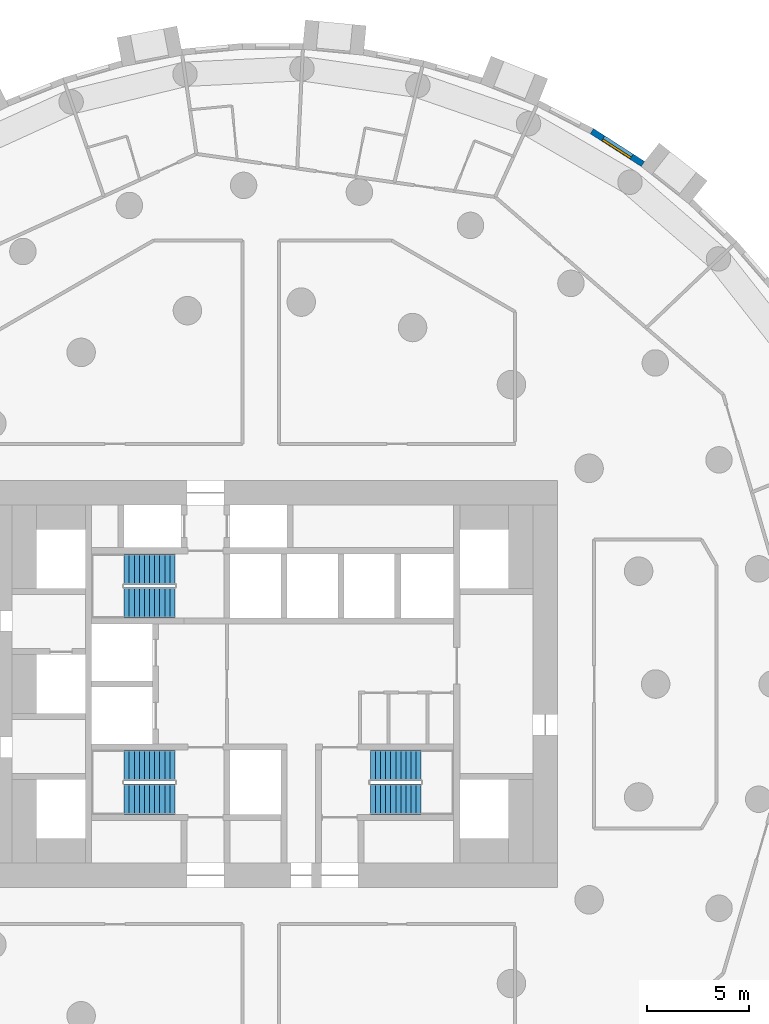
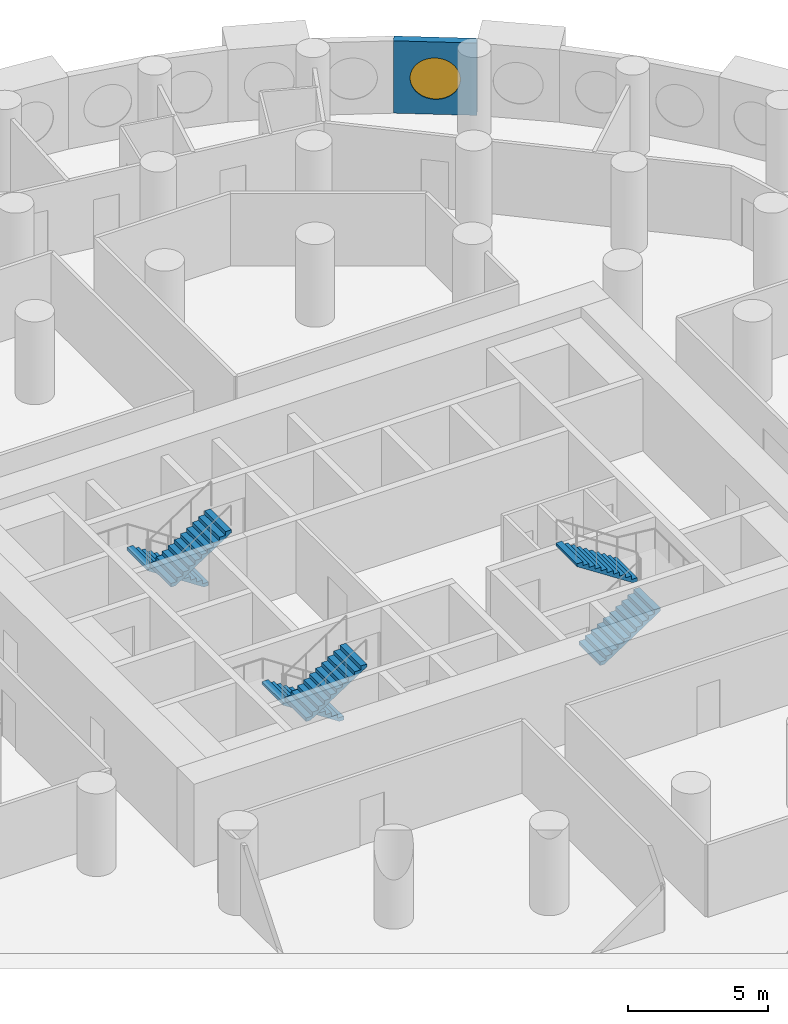
# One storey, part 10 of 11: 6 stair flights, 1 wall, 1 window, 1 opening, 3 elements without a shape of their own.
"""IFC4 building model written with IfcOpenShell, lengths in metres."""

from ifc_helpers import new_model, si_unit, direction, frame, frame_2d, origin, origin_2d, place, context, subcontext, project, spatial, polyline, rectangle, circle, outline, extrude, material, layer, layer_set, type_object, element, fill, aggregate, save


model = new_model("IFC4")

# Units and contexts
model_context = context("Model", 3, precision=1e-05, world=origin(), true_north=direction((0.0, 1.0)))
body_context = subcontext(model_context, "Body", "Model", "MODEL_VIEW")
ifc_project = project(units=[si_unit("LENGTHUNIT", "METRE"), si_unit("AREAUNIT", "SQUARE_METRE"), si_unit("VOLUMEUNIT", "CUBIC_METRE"), si_unit("PLANEANGLEUNIT", "RADIAN"), si_unit("MASSUNIT", "GRAM", prefix="KILO")], contexts=[model_context])

# Site, building, storey
site_placement = place(None, origin())
site = spatial("IfcSite", under=ifc_project, at=site_placement, CompositionType="ELEMENT")
building_placement = place(site_placement, origin())
building = spatial("IfcBuilding", under=site, at=building_placement, Name="Tracery Tower", CompositionType="ELEMENT")
storey_placement = place(building_placement, frame((0.0, 0.0, 93.0)))
storey = spatial("IfcBuildingStorey", under=building, at=storey_placement, Name="L23", CompositionType="ELEMENT", Elevation=93.0)

# Wall, opening, window
ifc_material_1 = material(Name="Precast concrete C50/60", Category="concrete")
ifc_layer = layer(ifc_material_1, 0.300048828125)
ifc_layer_set = layer_set([ifc_layer], Name="Facade panel 3000 x 3150")
wall_type = type_object("IfcWallType", Name="Facade panel 3000 x 3150", PredefinedType="SOLIDWALL", material=ifc_layer_set)
wall_placement = place(storey_placement, frame((18.19384765625, 25.56005859375, 0.0), z_axis=(0.0, 0.0, 1.0), x_axis=(-0.84122372879, 0.540687190639, 0.0)))
wall = element("IfcWall", 1, at=wall_placement, inside=storey, type_object=wall_type, Name="Facade panel 11 at L23", PredefinedType="SOLIDWALL", context=body_context, shape_type="SweptSolid", body=[
    extrude(rectangle(XDim=2.979736328125, YDim=0.300048828125, at=frame_2d((1.48974609375, 0.0))), origin(), (0.0, 0.0, 1.0), 3.14990234375),
])
opening_placement = place(wall_placement, frame((1.48974609375, 0.0, 1.5498046875)))
opening = element("IfcOpeningElement", 2, at=opening_placement, cuts=wall, Name="Opening WN1", PredefinedType="OPENING", context=body_context, shape_type="SweptSolid", body=[
    extrude(circle(Radius=0.9000244140625, at=origin_2d()), frame((0.0, 0.159912109375, 0.0), z_axis=(0.0, -1.0, 0.0), x_axis=(1.0, 0.0, 0.0)), (0.0, 0.0, 1.0), 0.320068359375),
])
ifc_material_2 = material(Name="Aluminium frame with tinted double glazing", Category="aluminium")
window_type = type_object("IfcWindowType", Name="Round window 1800", PartitioningType="SINGLE_PANEL", PredefinedType="WINDOW", material=ifc_material_2)
window_placement = place(opening_placement, origin())
window = element("IfcWindow", 3, at=window_placement, inside=storey, type_object=window_type, Name="Round window 11 at L23", OverallHeight=1.800048828125, OverallWidth=1.800048828125, PartitioningType="SINGLE_PANEL", PredefinedType="WINDOW", context=body_context, shape_type="SweptSolid", body=[
    extrude(circle(Radius=0.9000244140625, at=origin_2d()), frame((0.0, 0.1201171875, 0.0), z_axis=(0.0, -1.0, 0.0), x_axis=(1.0, 0.0, 0.0)), (0.0, 0.0, 1.0), 0.10009765625),
])
fill(opening, window)

# Stair, stair flights
ifc_material_3 = material(Name="Concrete C32/40", Category="concrete")
stair_type = type_object("IfcStairType", Name="Core stair 22 risers", PredefinedType="HALF_TURN_STAIR", material=ifc_material_3)
stair_1_placement = place(storey_placement, origin())
stair_1 = element("IfcStair", 4, at=stair_1_placement, inside=storey, type_object=stair_type, Name="L23 stair ST1", PredefinedType="HALF_TURN_STAIR")
ifc_material_4 = material(Name="Concrete C32/40", Category="concrete")
stair_flight_type = type_object("IfcStairFlightType", Name="Core stair flight 11 risers", PredefinedType="STRAIGHT", material=ifc_material_4)
stair_flight_1_placement = place(storey_placement, frame((-4.800048828125, -4.0, 0.0), z_axis=(0.0, 0.0, 1.0), x_axis=(-1.0, 0.0, 0.0)))
stair_flight_1 = element("IfcStairFlight", 5, at=stair_flight_1_placement, type_object=stair_flight_type, Name="ST1 flight 1", NumberOfRisers=11, NumberOfTreads=10, PredefinedType="STRAIGHT", RiserHeight=0.163636364, TreadLength=0.25, context=body_context, shape_type="SweptSolid", body=[
    extrude(outline(polyline([(0.0, 0.0), (0.0, 0.002685546875), (0.0, 0.00537109375), (0.0, 0.008056640625), (0.0, 0.0107421875), (0.0, 0.013427734375), (0.0, 0.01611328125), (0.0, 0.018798828125), (0.0, 0.021484375), (0.0, 0.024169921875), (0.0, 0.02685546875), (0.0, 0.029541015625), (0.0, 0.0322265625), (0.0, 0.034912109375), (0.0, 0.03759765625), (0.0, 0.040283203125), (0.0, 0.04296875), (0.0, 0.045654296875), (0.0, 0.04833984375), (0.0, 0.051025390625), (0.0, 0.0537109375), (0.0, 0.056396484375), (0.0, 0.05908203125), (0.0, 0.061767578125), (0.0, 0.064453125), (0.0, 0.067138671875), (0.0, 0.06982421875), (0.0, 0.072509765625), (0.0, 0.0751953125), (0.0, 0.077880859375), (0.0, 0.08056640625), (0.0, 0.083251953125), (0.0, 0.0859375), (0.0, 0.088623046875), (0.0, 0.09130859375), (0.0, 0.093994140625), (0.0, 0.0966796875), (0.0, 0.099365234375), (0.0, 0.10205078125), (0.0, 0.104736328125), (0.0, 0.107421875), (0.0, 0.10986328125), (0.0, 0.112548828125), (0.0, 0.115234375), (0.0, 0.117919921875), (0.0, 0.12060546875), (0.0, 0.123291015625), (0.0, 0.1259765625), (0.0, 0.128662109375), (0.0, 0.13134765625), (0.0, 0.134033203125), (0.0, 0.13671875), (0.0, 0.139404296875), (0.0, 0.14208984375), (0.0, 0.144775390625), (0.0, 0.1474609375), (0.0, 0.150146484375), (0.0, 0.15283203125), (0.0, 0.155517578125), (0.0, 0.158203125), (0.0, 0.160888671875), (0.0, 0.16357421875), (0.25, 0.16357421875), (0.25, 0.327392578125), (0.5, 0.327392578125), (0.5, 0.490966796875), (0.75, 0.490966796875), (0.75, 0.654541015625), (1.0, 0.654541015625), (1.0, 0.818115234375), (1.25, 0.818115234375), (1.25, 0.98193359375), (1.5, 0.98193359375), (1.5, 1.1455078125), (1.75, 1.1455078125), (1.75, 1.30908203125), (2.0, 1.30908203125), (2.0, 1.47265625), (2.25, 1.47265625), (2.25, 1.636474609375), (2.5, 1.636474609375), (2.5, 1.634521484375), (2.5, 1.63232421875), (2.5, 1.63037109375), (2.5, 1.62841796875), (2.5, 1.62646484375), (2.5, 1.62451171875), (2.5, 1.62255859375), (2.5, 1.62060546875), (2.5, 1.61865234375), (2.5, 1.61669921875), (2.5, 1.61474609375), (2.5, 1.61279296875), (2.5, 1.61083984375), (2.5, 1.60888671875), (2.5, 1.60693359375), (2.5, 1.60498046875), (2.5, 1.60302734375), (2.5, 1.60107421875), (2.5, 1.59912109375), (2.5, 1.59716796875), (2.5, 1.59521484375), (2.5, 1.59326171875), (2.5, 1.59130859375), (2.5, 1.58935546875), (2.5, 1.58740234375), (2.5, 1.58544921875), (2.5, 1.58349609375), (2.5, 1.58154296875), (2.5, 1.57958984375), (2.5, 1.57763671875), (2.5, 1.57568359375), (2.5, 1.573486328125), (2.5, 1.571533203125), (2.5, 1.569580078125), (2.5, 1.567626953125), (2.5, 1.565673828125), (2.5, 1.563720703125), (2.5, 1.561767578125), (2.5, 1.559814453125), (2.5, 1.557861328125), (2.5, 1.555908203125), (2.5, 1.553955078125), (2.5, 1.552001953125), (2.5, 1.550048828125), (2.5, 1.548095703125), (2.5, 1.546142578125), (2.5, 1.544189453125), (2.5, 1.542236328125), (2.5, 1.540283203125), (2.5, 1.538330078125), (2.5, 1.536376953125), (2.5, 1.534423828125), (2.5, 1.532470703125), (2.5, 1.530517578125), (2.5, 1.528564453125), (2.5, 1.526611328125), (2.5, 1.524658203125), (2.5, 1.522705078125), (2.5, 1.520751953125), (2.5, 1.518798828125), (2.5, 1.516845703125), (0.182861328125, 0.0), (0.0, 0.0)])), frame((0.0, 0.75, 0.0), z_axis=(0.0, -1.0, 0.0), x_axis=(1.0, 0.0, 0.0)), (0.0, 0.0, 1.0), 1.5),
])
stair_flight_2_placement = place(storey_placement, frame((-7.300048828125, -5.64990234375, 1.800048828125), z_axis=(0.0, 0.0, 1.0), x_axis=(1.0, 0.0, 0.0)))
stair_flight_2 = element("IfcStairFlight", 6, at=stair_flight_2_placement, type_object=stair_flight_type, Name="ST1 flight 2", NumberOfRisers=11, NumberOfTreads=10, PredefinedType="STRAIGHT", RiserHeight=0.163636364, TreadLength=0.25, context=body_context, shape_type="SweptSolid", body=[
    extrude(outline(polyline([(0.0, 0.0), (0.0, 0.002685546875), (0.0, 0.00537109375), (0.0, 0.008056640625), (0.0, 0.0107421875), (0.0, 0.013427734375), (0.0, 0.01611328125), (0.0, 0.018798828125), (0.0, 0.021484375), (0.0, 0.024169921875), (0.0, 0.02685546875), (0.0, 0.029541015625), (0.0, 0.0322265625), (0.0, 0.034912109375), (0.0, 0.03759765625), (0.0, 0.040283203125), (0.0, 0.04296875), (0.0, 0.045654296875), (0.0, 0.04833984375), (0.0, 0.051025390625), (0.0, 0.0537109375), (0.0, 0.056396484375), (0.0, 0.05908203125), (0.0, 0.061767578125), (0.0, 0.064453125), (0.0, 0.067138671875), (0.0, 0.06982421875), (0.0, 0.072509765625), (0.0, 0.0751953125), (0.0, 0.077880859375), (0.0, 0.08056640625), (0.0, 0.083251953125), (0.0, 0.0859375), (0.0, 0.088623046875), (0.0, 0.09130859375), (0.0, 0.093994140625), (0.0, 0.0966796875), (0.0, 0.099365234375), (0.0, 0.10205078125), (0.0, 0.104736328125), (0.0, 0.107421875), (0.0, 0.10986328125), (0.0, 0.112548828125), (0.0, 0.115234375), (0.0, 0.117919921875), (0.0, 0.12060546875), (0.0, 0.123291015625), (0.0, 0.1259765625), (0.0, 0.128662109375), (0.0, 0.13134765625), (0.0, 0.134033203125), (0.0, 0.13671875), (0.0, 0.139404296875), (0.0, 0.14208984375), (0.0, 0.144775390625), (0.0, 0.1474609375), (0.0, 0.150146484375), (0.0, 0.15283203125), (0.0, 0.155517578125), (0.0, 0.158203125), (0.0, 0.160888671875), (0.0, 0.16357421875), (0.25, 0.16357421875), (0.25, 0.327392578125), (0.5, 0.327392578125), (0.5, 0.490966796875), (0.75, 0.490966796875), (0.75, 0.654541015625), (1.0, 0.654541015625), (1.0, 0.818115234375), (1.25, 0.818115234375), (1.25, 0.98193359375), (1.5, 0.98193359375), (1.5, 1.1455078125), (1.75, 1.1455078125), (1.75, 1.30908203125), (2.0, 1.30908203125), (2.0, 1.47265625), (2.25, 1.47265625), (2.25, 1.636474609375), (2.5, 1.636474609375), (2.5, 1.634521484375), (2.5, 1.63232421875), (2.5, 1.63037109375), (2.5, 1.62841796875), (2.5, 1.62646484375), (2.5, 1.62451171875), (2.5, 1.62255859375), (2.5, 1.62060546875), (2.5, 1.61865234375), (2.5, 1.61669921875), (2.5, 1.61474609375), (2.5, 1.61279296875), (2.5, 1.61083984375), (2.5, 1.60888671875), (2.5, 1.60693359375), (2.5, 1.60498046875), (2.5, 1.60302734375), (2.5, 1.60107421875), (2.5, 1.59912109375), (2.5, 1.59716796875), (2.5, 1.59521484375), (2.5, 1.59326171875), (2.5, 1.59130859375), (2.5, 1.58935546875), (2.5, 1.58740234375), (2.5, 1.58544921875), (2.5, 1.58349609375), (2.5, 1.58154296875), (2.5, 1.57958984375), (2.5, 1.57763671875), (2.5, 1.57568359375), (2.5, 1.573486328125), (2.5, 1.571533203125), (2.5, 1.569580078125), (2.5, 1.567626953125), (2.5, 1.565673828125), (2.5, 1.563720703125), (2.5, 1.561767578125), (2.5, 1.559814453125), (2.5, 1.557861328125), (2.5, 1.555908203125), (2.5, 1.553955078125), (2.5, 1.552001953125), (2.5, 1.550048828125), (2.5, 1.548095703125), (2.5, 1.546142578125), (2.5, 1.544189453125), (2.5, 1.542236328125), (2.5, 1.540283203125), (2.5, 1.538330078125), (2.5, 1.536376953125), (2.5, 1.534423828125), (2.5, 1.532470703125), (2.5, 1.530517578125), (2.5, 1.528564453125), (2.5, 1.526611328125), (2.5, 1.524658203125), (2.5, 1.522705078125), (2.5, 1.520751953125), (2.5, 1.518798828125), (2.5, 1.516845703125), (0.182861328125, 0.0), (0.0, 0.0)])), frame((0.0, 0.75, 0.0), z_axis=(0.0, -1.0, 0.0), x_axis=(1.0, 0.0, 0.0)), (0.0, 0.0, 1.0), 1.5),
])
aggregate(stair_1, [stair_flight_1, stair_flight_2])

stair_2_placement = place(storey_placement, origin())
stair_2 = element("IfcStair", 7, at=stair_2_placement, inside=storey, type_object=stair_type, Name="L23 stair ST3", PredefinedType="HALF_TURN_STAIR")
stair_flight_3_placement = place(storey_placement, frame((-4.800048828125, 5.64990234375, 0.0), z_axis=(0.0, 0.0, 1.0), x_axis=(-1.0, 0.0, 0.0)))
stair_flight_3 = element("IfcStairFlight", 8, at=stair_flight_3_placement, type_object=stair_flight_type, Name="ST3 flight 1", NumberOfRisers=11, NumberOfTreads=10, PredefinedType="STRAIGHT", RiserHeight=0.163636364, TreadLength=0.25, context=body_context, shape_type="SweptSolid", body=[
    extrude(outline(polyline([(0.0, 0.0), (0.0, 0.002685546875), (0.0, 0.00537109375), (0.0, 0.008056640625), (0.0, 0.0107421875), (0.0, 0.013427734375), (0.0, 0.01611328125), (0.0, 0.018798828125), (0.0, 0.021484375), (0.0, 0.024169921875), (0.0, 0.02685546875), (0.0, 0.029541015625), (0.0, 0.0322265625), (0.0, 0.034912109375), (0.0, 0.03759765625), (0.0, 0.040283203125), (0.0, 0.04296875), (0.0, 0.045654296875), (0.0, 0.04833984375), (0.0, 0.051025390625), (0.0, 0.0537109375), (0.0, 0.056396484375), (0.0, 0.05908203125), (0.0, 0.061767578125), (0.0, 0.064453125), (0.0, 0.067138671875), (0.0, 0.06982421875), (0.0, 0.072509765625), (0.0, 0.0751953125), (0.0, 0.077880859375), (0.0, 0.08056640625), (0.0, 0.083251953125), (0.0, 0.0859375), (0.0, 0.088623046875), (0.0, 0.09130859375), (0.0, 0.093994140625), (0.0, 0.0966796875), (0.0, 0.099365234375), (0.0, 0.10205078125), (0.0, 0.104736328125), (0.0, 0.107421875), (0.0, 0.10986328125), (0.0, 0.112548828125), (0.0, 0.115234375), (0.0, 0.117919921875), (0.0, 0.12060546875), (0.0, 0.123291015625), (0.0, 0.1259765625), (0.0, 0.128662109375), (0.0, 0.13134765625), (0.0, 0.134033203125), (0.0, 0.13671875), (0.0, 0.139404296875), (0.0, 0.14208984375), (0.0, 0.144775390625), (0.0, 0.1474609375), (0.0, 0.150146484375), (0.0, 0.15283203125), (0.0, 0.155517578125), (0.0, 0.158203125), (0.0, 0.160888671875), (0.0, 0.16357421875), (0.25, 0.16357421875), (0.25, 0.327392578125), (0.5, 0.327392578125), (0.5, 0.490966796875), (0.75, 0.490966796875), (0.75, 0.654541015625), (1.0, 0.654541015625), (1.0, 0.818115234375), (1.25, 0.818115234375), (1.25, 0.98193359375), (1.5, 0.98193359375), (1.5, 1.1455078125), (1.75, 1.1455078125), (1.75, 1.30908203125), (2.0, 1.30908203125), (2.0, 1.47265625), (2.25, 1.47265625), (2.25, 1.636474609375), (2.5, 1.636474609375), (2.5, 1.634521484375), (2.5, 1.63232421875), (2.5, 1.63037109375), (2.5, 1.62841796875), (2.5, 1.62646484375), (2.5, 1.62451171875), (2.5, 1.62255859375), (2.5, 1.62060546875), (2.5, 1.61865234375), (2.5, 1.61669921875), (2.5, 1.61474609375), (2.5, 1.61279296875), (2.5, 1.61083984375), (2.5, 1.60888671875), (2.5, 1.60693359375), (2.5, 1.60498046875), (2.5, 1.60302734375), (2.5, 1.60107421875), (2.5, 1.59912109375), (2.5, 1.59716796875), (2.5, 1.59521484375), (2.5, 1.59326171875), (2.5, 1.59130859375), (2.5, 1.58935546875), (2.5, 1.58740234375), (2.5, 1.58544921875), (2.5, 1.58349609375), (2.5, 1.58154296875), (2.5, 1.57958984375), (2.5, 1.57763671875), (2.5, 1.57568359375), (2.5, 1.573486328125), (2.5, 1.571533203125), (2.5, 1.569580078125), (2.5, 1.567626953125), (2.5, 1.565673828125), (2.5, 1.563720703125), (2.5, 1.561767578125), (2.5, 1.559814453125), (2.5, 1.557861328125), (2.5, 1.555908203125), (2.5, 1.553955078125), (2.5, 1.552001953125), (2.5, 1.550048828125), (2.5, 1.548095703125), (2.5, 1.546142578125), (2.5, 1.544189453125), (2.5, 1.542236328125), (2.5, 1.540283203125), (2.5, 1.538330078125), (2.5, 1.536376953125), (2.5, 1.534423828125), (2.5, 1.532470703125), (2.5, 1.530517578125), (2.5, 1.528564453125), (2.5, 1.526611328125), (2.5, 1.524658203125), (2.5, 1.522705078125), (2.5, 1.520751953125), (2.5, 1.518798828125), (2.5, 1.516845703125), (0.182861328125, 0.0), (0.0, 0.0)])), frame((0.0, 0.75, 0.0), z_axis=(0.0, -1.0, 0.0), x_axis=(1.0, 0.0, 0.0)), (0.0, 0.0, 1.0), 1.5),
])
stair_flight_4_placement = place(storey_placement, frame((-7.300048828125, 4.0, 1.800048828125), z_axis=(0.0, 0.0, 1.0), x_axis=(1.0, 0.0, 0.0)))
stair_flight_4 = element("IfcStairFlight", 9, at=stair_flight_4_placement, type_object=stair_flight_type, Name="ST3 flight 2", NumberOfRisers=11, NumberOfTreads=10, PredefinedType="STRAIGHT", RiserHeight=0.163636364, TreadLength=0.25, context=body_context, shape_type="SweptSolid", body=[
    extrude(outline(polyline([(0.0, 0.0), (0.0, 0.002685546875), (0.0, 0.00537109375), (0.0, 0.008056640625), (0.0, 0.0107421875), (0.0, 0.013427734375), (0.0, 0.01611328125), (0.0, 0.018798828125), (0.0, 0.021484375), (0.0, 0.024169921875), (0.0, 0.02685546875), (0.0, 0.029541015625), (0.0, 0.0322265625), (0.0, 0.034912109375), (0.0, 0.03759765625), (0.0, 0.040283203125), (0.0, 0.04296875), (0.0, 0.045654296875), (0.0, 0.04833984375), (0.0, 0.051025390625), (0.0, 0.0537109375), (0.0, 0.056396484375), (0.0, 0.05908203125), (0.0, 0.061767578125), (0.0, 0.064453125), (0.0, 0.067138671875), (0.0, 0.06982421875), (0.0, 0.072509765625), (0.0, 0.0751953125), (0.0, 0.077880859375), (0.0, 0.08056640625), (0.0, 0.083251953125), (0.0, 0.0859375), (0.0, 0.088623046875), (0.0, 0.09130859375), (0.0, 0.093994140625), (0.0, 0.0966796875), (0.0, 0.099365234375), (0.0, 0.10205078125), (0.0, 0.104736328125), (0.0, 0.107421875), (0.0, 0.10986328125), (0.0, 0.112548828125), (0.0, 0.115234375), (0.0, 0.117919921875), (0.0, 0.12060546875), (0.0, 0.123291015625), (0.0, 0.1259765625), (0.0, 0.128662109375), (0.0, 0.13134765625), (0.0, 0.134033203125), (0.0, 0.13671875), (0.0, 0.139404296875), (0.0, 0.14208984375), (0.0, 0.144775390625), (0.0, 0.1474609375), (0.0, 0.150146484375), (0.0, 0.15283203125), (0.0, 0.155517578125), (0.0, 0.158203125), (0.0, 0.160888671875), (0.0, 0.16357421875), (0.25, 0.16357421875), (0.25, 0.327392578125), (0.5, 0.327392578125), (0.5, 0.490966796875), (0.75, 0.490966796875), (0.75, 0.654541015625), (1.0, 0.654541015625), (1.0, 0.818115234375), (1.25, 0.818115234375), (1.25, 0.98193359375), (1.5, 0.98193359375), (1.5, 1.1455078125), (1.75, 1.1455078125), (1.75, 1.30908203125), (2.0, 1.30908203125), (2.0, 1.47265625), (2.25, 1.47265625), (2.25, 1.636474609375), (2.5, 1.636474609375), (2.5, 1.634521484375), (2.5, 1.63232421875), (2.5, 1.63037109375), (2.5, 1.62841796875), (2.5, 1.62646484375), (2.5, 1.62451171875), (2.5, 1.62255859375), (2.5, 1.62060546875), (2.5, 1.61865234375), (2.5, 1.61669921875), (2.5, 1.61474609375), (2.5, 1.61279296875), (2.5, 1.61083984375), (2.5, 1.60888671875), (2.5, 1.60693359375), (2.5, 1.60498046875), (2.5, 1.60302734375), (2.5, 1.60107421875), (2.5, 1.59912109375), (2.5, 1.59716796875), (2.5, 1.59521484375), (2.5, 1.59326171875), (2.5, 1.59130859375), (2.5, 1.58935546875), (2.5, 1.58740234375), (2.5, 1.58544921875), (2.5, 1.58349609375), (2.5, 1.58154296875), (2.5, 1.57958984375), (2.5, 1.57763671875), (2.5, 1.57568359375), (2.5, 1.573486328125), (2.5, 1.571533203125), (2.5, 1.569580078125), (2.5, 1.567626953125), (2.5, 1.565673828125), (2.5, 1.563720703125), (2.5, 1.561767578125), (2.5, 1.559814453125), (2.5, 1.557861328125), (2.5, 1.555908203125), (2.5, 1.553955078125), (2.5, 1.552001953125), (2.5, 1.550048828125), (2.5, 1.548095703125), (2.5, 1.546142578125), (2.5, 1.544189453125), (2.5, 1.542236328125), (2.5, 1.540283203125), (2.5, 1.538330078125), (2.5, 1.536376953125), (2.5, 1.534423828125), (2.5, 1.532470703125), (2.5, 1.530517578125), (2.5, 1.528564453125), (2.5, 1.526611328125), (2.5, 1.524658203125), (2.5, 1.522705078125), (2.5, 1.520751953125), (2.5, 1.518798828125), (2.5, 1.516845703125), (0.182861328125, 0.0), (0.0, 0.0)])), frame((0.0, 0.75, 0.0), z_axis=(0.0, -1.0, 0.0), x_axis=(1.0, 0.0, 0.0)), (0.0, 0.0, 1.0), 1.5),
])
aggregate(stair_2, [stair_flight_3, stair_flight_4])

stair_3_placement = place(storey_placement, origin())
stair_3 = element("IfcStair", 10, at=stair_3_placement, inside=storey, type_object=stair_type, Name="L23 stair ST2", PredefinedType="HALF_TURN_STAIR")
stair_flight_5_placement = place(storey_placement, frame((4.800048828125, -5.64990234375, 0.0), z_axis=(0.0, 0.0, 1.0), x_axis=(1.0, 0.0, 0.0)))
stair_flight_5 = element("IfcStairFlight", 11, at=stair_flight_5_placement, type_object=stair_flight_type, Name="ST2 flight 1", NumberOfRisers=11, NumberOfTreads=10, PredefinedType="STRAIGHT", RiserHeight=0.163636364, TreadLength=0.25, context=body_context, shape_type="SweptSolid", body=[
    extrude(outline(polyline([(0.0, 0.0), (0.0, 0.002685546875), (0.0, 0.00537109375), (0.0, 0.008056640625), (0.0, 0.0107421875), (0.0, 0.013427734375), (0.0, 0.01611328125), (0.0, 0.018798828125), (0.0, 0.021484375), (0.0, 0.024169921875), (0.0, 0.02685546875), (0.0, 0.029541015625), (0.0, 0.0322265625), (0.0, 0.034912109375), (0.0, 0.03759765625), (0.0, 0.040283203125), (0.0, 0.04296875), (0.0, 0.045654296875), (0.0, 0.04833984375), (0.0, 0.051025390625), (0.0, 0.0537109375), (0.0, 0.056396484375), (0.0, 0.05908203125), (0.0, 0.061767578125), (0.0, 0.064453125), (0.0, 0.067138671875), (0.0, 0.06982421875), (0.0, 0.072509765625), (0.0, 0.0751953125), (0.0, 0.077880859375), (0.0, 0.08056640625), (0.0, 0.083251953125), (0.0, 0.0859375), (0.0, 0.088623046875), (0.0, 0.09130859375), (0.0, 0.093994140625), (0.0, 0.0966796875), (0.0, 0.099365234375), (0.0, 0.10205078125), (0.0, 0.104736328125), (0.0, 0.107421875), (0.0, 0.10986328125), (0.0, 0.112548828125), (0.0, 0.115234375), (0.0, 0.117919921875), (0.0, 0.12060546875), (0.0, 0.123291015625), (0.0, 0.1259765625), (0.0, 0.128662109375), (0.0, 0.13134765625), (0.0, 0.134033203125), (0.0, 0.13671875), (0.0, 0.139404296875), (0.0, 0.14208984375), (0.0, 0.144775390625), (0.0, 0.1474609375), (0.0, 0.150146484375), (0.0, 0.15283203125), (0.0, 0.155517578125), (0.0, 0.158203125), (0.0, 0.160888671875), (0.0, 0.16357421875), (0.25, 0.16357421875), (0.25, 0.327392578125), (0.5, 0.327392578125), (0.5, 0.490966796875), (0.75, 0.490966796875), (0.75, 0.654541015625), (1.0, 0.654541015625), (1.0, 0.818115234375), (1.25, 0.818115234375), (1.25, 0.98193359375), (1.5, 0.98193359375), (1.5, 1.1455078125), (1.75, 1.1455078125), (1.75, 1.30908203125), (2.0, 1.30908203125), (2.0, 1.47265625), (2.25, 1.47265625), (2.25, 1.636474609375), (2.5, 1.636474609375), (2.5, 1.634521484375), (2.5, 1.63232421875), (2.5, 1.63037109375), (2.5, 1.62841796875), (2.5, 1.62646484375), (2.5, 1.62451171875), (2.5, 1.62255859375), (2.5, 1.62060546875), (2.5, 1.61865234375), (2.5, 1.61669921875), (2.5, 1.61474609375), (2.5, 1.61279296875), (2.5, 1.61083984375), (2.5, 1.60888671875), (2.5, 1.60693359375), (2.5, 1.60498046875), (2.5, 1.60302734375), (2.5, 1.60107421875), (2.5, 1.59912109375), (2.5, 1.59716796875), (2.5, 1.59521484375), (2.5, 1.59326171875), (2.5, 1.59130859375), (2.5, 1.58935546875), (2.5, 1.58740234375), (2.5, 1.58544921875), (2.5, 1.58349609375), (2.5, 1.58154296875), (2.5, 1.57958984375), (2.5, 1.57763671875), (2.5, 1.57568359375), (2.5, 1.573486328125), (2.5, 1.571533203125), (2.5, 1.569580078125), (2.5, 1.567626953125), (2.5, 1.565673828125), (2.5, 1.563720703125), (2.5, 1.561767578125), (2.5, 1.559814453125), (2.5, 1.557861328125), (2.5, 1.555908203125), (2.5, 1.553955078125), (2.5, 1.552001953125), (2.5, 1.550048828125), (2.5, 1.548095703125), (2.5, 1.546142578125), (2.5, 1.544189453125), (2.5, 1.542236328125), (2.5, 1.540283203125), (2.5, 1.538330078125), (2.5, 1.536376953125), (2.5, 1.534423828125), (2.5, 1.532470703125), (2.5, 1.530517578125), (2.5, 1.528564453125), (2.5, 1.526611328125), (2.5, 1.524658203125), (2.5, 1.522705078125), (2.5, 1.520751953125), (2.5, 1.518798828125), (2.5, 1.516845703125), (0.182861328125, 0.0), (0.0, 0.0)])), frame((0.0, 0.75, 0.0), z_axis=(0.0, -1.0, 0.0), x_axis=(1.0, 0.0, 0.0)), (0.0, 0.0, 1.0), 1.5),
])
stair_flight_6_placement = place(storey_placement, frame((7.300048828125, -4.0, 1.800048828125), z_axis=(0.0, 0.0, 1.0), x_axis=(-1.0, 0.0, 0.0)))
stair_flight_6 = element("IfcStairFlight", 12, at=stair_flight_6_placement, type_object=stair_flight_type, Name="ST2 flight 2", NumberOfRisers=11, NumberOfTreads=10, PredefinedType="STRAIGHT", RiserHeight=0.163636364, TreadLength=0.25, context=body_context, shape_type="SweptSolid", body=[
    extrude(outline(polyline([(0.0, 0.0), (0.0, 0.002685546875), (0.0, 0.00537109375), (0.0, 0.008056640625), (0.0, 0.0107421875), (0.0, 0.013427734375), (0.0, 0.01611328125), (0.0, 0.018798828125), (0.0, 0.021484375), (0.0, 0.024169921875), (0.0, 0.02685546875), (0.0, 0.029541015625), (0.0, 0.0322265625), (0.0, 0.034912109375), (0.0, 0.03759765625), (0.0, 0.040283203125), (0.0, 0.04296875), (0.0, 0.045654296875), (0.0, 0.04833984375), (0.0, 0.051025390625), (0.0, 0.0537109375), (0.0, 0.056396484375), (0.0, 0.05908203125), (0.0, 0.061767578125), (0.0, 0.064453125), (0.0, 0.067138671875), (0.0, 0.06982421875), (0.0, 0.072509765625), (0.0, 0.0751953125), (0.0, 0.077880859375), (0.0, 0.08056640625), (0.0, 0.083251953125), (0.0, 0.0859375), (0.0, 0.088623046875), (0.0, 0.09130859375), (0.0, 0.093994140625), (0.0, 0.0966796875), (0.0, 0.099365234375), (0.0, 0.10205078125), (0.0, 0.104736328125), (0.0, 0.107421875), (0.0, 0.10986328125), (0.0, 0.112548828125), (0.0, 0.115234375), (0.0, 0.117919921875), (0.0, 0.12060546875), (0.0, 0.123291015625), (0.0, 0.1259765625), (0.0, 0.128662109375), (0.0, 0.13134765625), (0.0, 0.134033203125), (0.0, 0.13671875), (0.0, 0.139404296875), (0.0, 0.14208984375), (0.0, 0.144775390625), (0.0, 0.1474609375), (0.0, 0.150146484375), (0.0, 0.15283203125), (0.0, 0.155517578125), (0.0, 0.158203125), (0.0, 0.160888671875), (0.0, 0.16357421875), (0.25, 0.16357421875), (0.25, 0.327392578125), (0.5, 0.327392578125), (0.5, 0.490966796875), (0.75, 0.490966796875), (0.75, 0.654541015625), (1.0, 0.654541015625), (1.0, 0.818115234375), (1.25, 0.818115234375), (1.25, 0.98193359375), (1.5, 0.98193359375), (1.5, 1.1455078125), (1.75, 1.1455078125), (1.75, 1.30908203125), (2.0, 1.30908203125), (2.0, 1.47265625), (2.25, 1.47265625), (2.25, 1.636474609375), (2.5, 1.636474609375), (2.5, 1.634521484375), (2.5, 1.63232421875), (2.5, 1.63037109375), (2.5, 1.62841796875), (2.5, 1.62646484375), (2.5, 1.62451171875), (2.5, 1.62255859375), (2.5, 1.62060546875), (2.5, 1.61865234375), (2.5, 1.61669921875), (2.5, 1.61474609375), (2.5, 1.61279296875), (2.5, 1.61083984375), (2.5, 1.60888671875), (2.5, 1.60693359375), (2.5, 1.60498046875), (2.5, 1.60302734375), (2.5, 1.60107421875), (2.5, 1.59912109375), (2.5, 1.59716796875), (2.5, 1.59521484375), (2.5, 1.59326171875), (2.5, 1.59130859375), (2.5, 1.58935546875), (2.5, 1.58740234375), (2.5, 1.58544921875), (2.5, 1.58349609375), (2.5, 1.58154296875), (2.5, 1.57958984375), (2.5, 1.57763671875), (2.5, 1.57568359375), (2.5, 1.573486328125), (2.5, 1.571533203125), (2.5, 1.569580078125), (2.5, 1.567626953125), (2.5, 1.565673828125), (2.5, 1.563720703125), (2.5, 1.561767578125), (2.5, 1.559814453125), (2.5, 1.557861328125), (2.5, 1.555908203125), (2.5, 1.553955078125), (2.5, 1.552001953125), (2.5, 1.550048828125), (2.5, 1.548095703125), (2.5, 1.546142578125), (2.5, 1.544189453125), (2.5, 1.542236328125), (2.5, 1.540283203125), (2.5, 1.538330078125), (2.5, 1.536376953125), (2.5, 1.534423828125), (2.5, 1.532470703125), (2.5, 1.530517578125), (2.5, 1.528564453125), (2.5, 1.526611328125), (2.5, 1.524658203125), (2.5, 1.522705078125), (2.5, 1.520751953125), (2.5, 1.518798828125), (2.5, 1.516845703125), (0.182861328125, 0.0), (0.0, 0.0)])), frame((0.0, 0.75, 0.0), z_axis=(0.0, -1.0, 0.0), x_axis=(1.0, 0.0, 0.0)), (0.0, 0.0, 1.0), 1.5),
])
aggregate(stair_3, [stair_flight_5, stair_flight_6])

save(model, "model.ifc")
